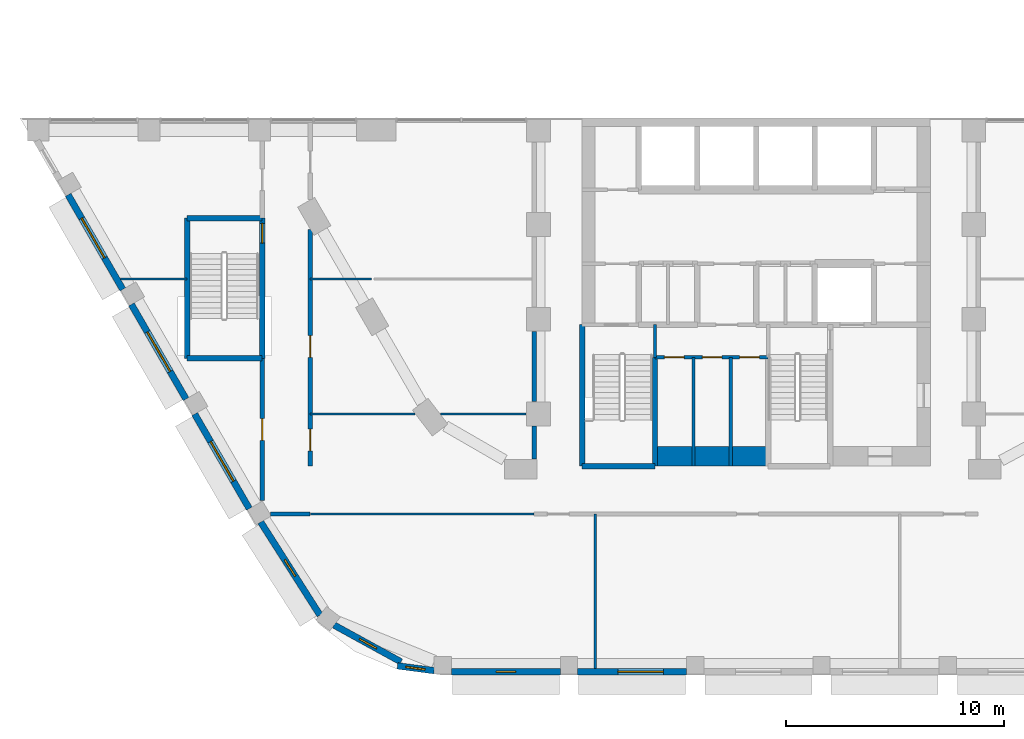
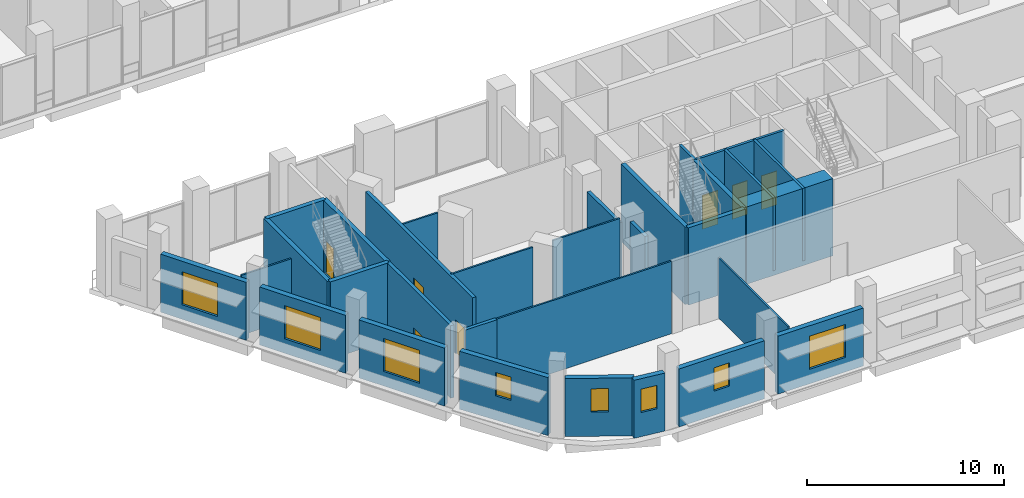
# One storey, part 15 of 45: 31 walls, 8 windows, 7 doors, 15 openings.
"""IFC4 building model written with IfcOpenShell, lengths in metres."""

from ifc_helpers import new_model, si_unit, direction, frame, frame_2d, origin, place, context, subcontext, project, spatial, rectangle, extrude, material, layer, layer_set, type_object, element, fill, save


model = new_model("IFC4")

# Units and contexts
model_context = context("Model", 3, precision=1e-05, world=origin(), true_north=direction((0.0, 1.0)))
body_context = subcontext(model_context, "Body", "Model", "MODEL_VIEW")
ifc_project = project(units=[si_unit("LENGTHUNIT", "METRE"), si_unit("AREAUNIT", "SQUARE_METRE"), si_unit("VOLUMEUNIT", "CUBIC_METRE"), si_unit("PLANEANGLEUNIT", "RADIAN"), si_unit("MASSUNIT", "GRAM", prefix="KILO")], contexts=[model_context])

# Site, building, storey
site_placement = place(None, origin())
site = spatial("IfcSite", under=ifc_project, at=site_placement, CompositionType="ELEMENT")
building_placement = place(site_placement, origin())
building = spatial("IfcBuilding", under=site, at=building_placement, Name="Nakaniwa Court", CompositionType="ELEMENT")
storey_placement = place(building_placement, frame((0.0, 0.0, 6.60009765625)))
storey = spatial("IfcBuildingStorey", under=building, at=storey_placement, Name="L01", CompositionType="ELEMENT", Elevation=6.60009765625)

# Wall, opening, door
ifc_material_1 = material(Name="Acoustic double stud partition")
ifc_layer_1 = layer(ifc_material_1, 0.199951171875)
ifc_layer_set_1 = layer_set([ifc_layer_1], Name="Acoustic double stud partition")
wall_type_1 = type_object("IfcWallType", Name="Acoustic double stud partition 200", PredefinedType="PARTITIONING", material=ifc_layer_set_1)
wall_1_placement = place(storey_placement, frame((57.300048828125, 55.0087890625, 0.0), z_axis=(0.0, 0.0, 1.0), x_axis=(0.0, 1.0, 0.0)))
wall_1 = element("IfcWall", 1, at=wall_1_placement, inside=storey, type_object=wall_type_1, Name="Partition PW-096", PredefinedType="PARTITIONING", context=body_context, shape_type="SweptSolid", body=[
    extrude(rectangle(XDim=6.544189453125, YDim=0.199951171875, at=frame_2d((3.27197265625, 0.0))), origin(), (0.0, 0.0, 1.0), 4.5),
])
opening_1_placement = place(wall_1_placement, frame((2.77197265625, 0.0, 0.0)))
opening_1 = element("IfcOpeningElement", 2, at=opening_1_placement, cuts=wall_1, Name="Opening D-02-12", PredefinedType="OPENING", context=body_context, shape_type="SweptSolid", body=[
    extrude(rectangle(XDim=1.0, YDim=2.10009765625, at=frame_2d((0.5, 1.050048828125))), frame((0.0, 0.10986328125, 0.0), z_axis=(0.0, -1.0, 0.0), x_axis=(1.0, 0.0, 0.0)), (0.0, 0.0, 1.0), 0.219970703125),
])
ifc_material_2 = material(Name="Solid core timber door set, black veneer", Category="wood")
door_type_1 = type_object("IfcDoorType", Name="Internal door 1000", OperationType="NOTDEFINED", PredefinedType="DOOR", material=ifc_material_2)
door_1_placement = place(opening_1_placement, origin())
door_1 = element("IfcDoor", 3, at=door_1_placement, inside=storey, type_object=door_type_1, Name="Door D-02-12 L01-047", OperationType="SINGLE_SWING_RIGHT", OverallHeight=2.10009765625, OverallWidth=1.0, PredefinedType="DOOR", context=body_context, shape_type="SweptSolid", body=[
    extrude(rectangle(XDim=1.0, YDim=2.10009765625, at=frame_2d((0.5, 1.050048828125))), frame((0.0, 0.02490234375, 0.0), z_axis=(0.0, -1.0, 0.0), x_axis=(1.0, 0.0, 0.0)), (0.0, 0.0, 1.0), 0.050048828125),
])
fill(opening_1, door_1)

# Wall, openings, doors
wall_2_placement = place(storey_placement, frame((59.5, 67.47021484375, 0.0), z_axis=(0.0, 0.0, 1.0), x_axis=(0.0, -1.0, 0.0)))
wall_2 = element("IfcWall", 4, at=wall_2_placement, inside=storey, type_object=wall_type_1, Name="Partition PW-100", PredefinedType="PARTITIONING", context=body_context, shape_type="SweptSolid", body=[
    extrude(rectangle(XDim=10.873291015625, YDim=0.199951171875, at=frame_2d((5.4365234375, 0.0))), origin(), (0.0, 0.0, 1.0), 4.5),
])
opening_2_placement = place(wall_2_placement, frame((4.8701171875, 0.0, 0.0)))
opening_2 = element("IfcOpeningElement", 5, at=opening_2_placement, cuts=wall_2, Name="Opening D-02-17", PredefinedType="OPENING", context=body_context, shape_type="SweptSolid", body=[
    extrude(rectangle(XDim=1.0, YDim=2.10009765625, at=frame_2d((0.5, 1.050048828125))), frame((0.0, 0.10986328125, 0.0), z_axis=(0.0, -1.0, 0.0), x_axis=(1.0, 0.0, 0.0)), (0.0, 0.0, 1.0), 0.219970703125),
])
opening_3_placement = place(wall_2_placement, frame((9.169921875, 0.0, 0.0)))
opening_3 = element("IfcOpeningElement", 6, at=opening_3_placement, cuts=wall_2, Name="Opening D-02-18", PredefinedType="OPENING", context=body_context, shape_type="SweptSolid", body=[
    extrude(rectangle(XDim=1.0, YDim=2.10009765625, at=frame_2d((0.5, 1.050048828125))), frame((0.0, 0.10986328125, 0.0), z_axis=(0.0, -1.0, 0.0), x_axis=(1.0, 0.0, 0.0)), (0.0, 0.0, 1.0), 0.219970703125),
])
door_2_placement = place(opening_2_placement, origin())
door_2 = element("IfcDoor", 7, at=door_2_placement, inside=storey, type_object=door_type_1, Name="Door D-02-17 L01-052", OperationType="SINGLE_SWING_LEFT", OverallHeight=2.10009765625, OverallWidth=1.0, PredefinedType="DOOR", context=body_context, shape_type="SweptSolid", body=[
    extrude(rectangle(XDim=1.0, YDim=2.10009765625, at=frame_2d((0.5, 1.050048828125))), frame((0.0, 0.02490234375, 0.0), z_axis=(0.0, -1.0, 0.0), x_axis=(1.0, 0.0, 0.0)), (0.0, 0.0, 1.0), 0.050048828125),
])
fill(opening_2, door_2)
door_3_placement = place(opening_3_placement, origin())
door_3 = element("IfcDoor", 8, at=door_3_placement, inside=storey, type_object=door_type_1, Name="Door D-02-18 L01-053", OperationType="SINGLE_SWING_RIGHT", OverallHeight=2.10009765625, OverallWidth=1.0, PredefinedType="DOOR", context=body_context, shape_type="SweptSolid", body=[
    extrude(rectangle(XDim=1.0, YDim=2.10009765625, at=frame_2d((0.5, 1.050048828125))), frame((0.0, 0.02490234375, 0.0), z_axis=(0.0, -1.0, 0.0), x_axis=(1.0, 0.0, 0.0)), (0.0, 0.0, 1.0), 0.050048828125),
])
fill(opening_3, door_3)

# Walls
wall_3_placement = place(storey_placement, frame((69.800048828125, 56.9169921875, 0.0), z_axis=(0.0, 0.0, 1.0), x_axis=(0.0, 1.0, 0.0)))
element("IfcWall", 9, at=wall_3_placement, inside=storey, type_object=wall_type_1, Name="Partition PW-112", PredefinedType="PARTITIONING", context=body_context, shape_type="SweptSolid", body=[
    extrude(rectangle(XDim=1.51611328125, YDim=0.199951171875, at=frame_2d((0.758056640625, 0.0))), origin(), (0.0, 0.0, 1.0), 4.5),
])
wall_4_placement = place(storey_placement, frame((69.800048828125, 59.56689453125, 0.0), z_axis=(0.0, 0.0, 1.0), x_axis=(0.0, 1.0, 0.0)))
element("IfcWall", 10, at=wall_4_placement, inside=storey, type_object=wall_type_1, Name="Partition PW-113", PredefinedType="PARTITIONING", context=body_context, shape_type="SweptSolid", body=[
    extrude(rectangle(XDim=3.216064453125, YDim=0.199951171875, at=frame_2d((1.60791015625, 0.0))), origin(), (0.0, 0.0, 1.0), 3.72998046875),
])
wall_5_placement = place(storey_placement, frame((57.676513671875, 54.39990234375, 0.0), z_axis=(0.0, 0.0, 1.0), x_axis=(1.0, 0.0, 0.0)))
element("IfcWall", 11, at=wall_5_placement, inside=storey, type_object=wall_type_1, Name="Partition PW-134", PredefinedType="PARTITIONING", context=body_context, shape_type="SweptSolid", body=[
    extrude(rectangle(XDim=1.823486328125, YDim=0.199951171875, at=frame_2d((0.91162109375, 0.0))), origin(), (0.0, 0.0, 1.0), 4.5),
])

# Wall, opening, window
ifc_material_3 = material(Name="Charcoal ceramic cladding")
ifc_layer_2 = layer(ifc_material_3, 0.02, Name="Ceramic cladding")
ifc_material_4 = material(Name="Ventilated air cavity")
ifc_layer_3 = layer(ifc_material_4, 0.04, ventilated=True, Name="Ventilated cavity")
ifc_material_5 = material(Name="Mineral wool insulation")
ifc_layer_4 = layer(ifc_material_5, 0.1, Name="Insulation")
ifc_material_6 = material(Name="Cement bonded sheathing board")
ifc_layer_5 = layer(ifc_material_6, 0.012, Name="Sheathing")
ifc_material_7 = material(Name="Cold-formed galvanised stud frame with mineral wool infill")
ifc_layer_6 = layer(ifc_material_7, 0.1, Name="Stud frame")
ifc_material_8 = material(Name="Fire-rated gypsum plasterboard lining")
ifc_layer_7 = layer(ifc_material_8, 0.028, Name="Lining")
ifc_layer_set_2 = layer_set([ifc_layer_2, ifc_layer_3, ifc_layer_4, ifc_layer_5, ifc_layer_6, ifc_layer_7], Name="Charcoal ceramic faced external wall system")
wall_type_2 = type_object("IfcWallType", Name="Black ceramic faced external wall 300", PredefinedType="SOLIDWALL", material=ifc_layer_set_2)
wall_6_placement = place(storey_placement, frame((48.37890625, 69.0693359375, 0.0), z_axis=(0.0, 0.0, 1.0), x_axis=(0.500011252833, -0.866018906861, 0.0)))
wall_6 = element("IfcWall", 12, at=wall_6_placement, inside=storey, type_object=wall_type_2, Name="L01 external wall 13", PredefinedType="SOLIDWALL", context=body_context, shape_type="SweptSolid", body=[
    extrude(rectangle(XDim=5.02490234375, YDim=0.300048828125, at=frame_2d((2.512451171875, 0.0))), origin(), (0.0, 0.0, 1.0), 3.599853515625),
])
opening_4_placement = place(wall_6_placement, frame((1.2451171875, 0.0, 0.89990234375)))
opening_4 = element("IfcOpeningElement", 13, at=opening_4_placement, cuts=wall_6, Name="Opening W2.02", PredefinedType="OPENING", context=body_context, shape_type="SweptSolid", body=[
    extrude(rectangle(XDim=2.10009765625, YDim=2.050048828125, at=frame_2d((1.050048828125, 1.02490234375))), frame((0.0, 0.159912109375, 0.0), z_axis=(0.0, -1.0, 0.0), x_axis=(1.0, 0.0, 0.0)), (0.0, 0.0, 1.0), 0.320068359375),
])
ifc_material_9 = material(Name="Black anodised aluminium frame with dark low-E laminated double glazing", Category="aluminium")
window_type_1 = type_object("IfcWindowType", Name="Dark glass window 2100x2050 sill 900", PartitioningType="SINGLE_PANEL", PredefinedType="WINDOW", material=ifc_material_9)
window_1_placement = place(opening_4_placement, origin())
window_1 = element("IfcWindow", 14, at=window_1_placement, inside=storey, type_object=window_type_1, Name="L01 habitable room window 13-0", OverallHeight=2.050048828125, OverallWidth=2.10009765625, PartitioningType="SINGLE_PANEL", PredefinedType="WINDOW", context=body_context, shape_type="SweptSolid", body=[
    extrude(rectangle(XDim=2.10009765625, YDim=2.050048828125, at=frame_2d((1.050048828125, 1.02490234375))), frame((0.0, 0.030029296875, 0.0), z_axis=(0.0, -1.0, 0.0), x_axis=(1.0, 0.0, 0.0)), (0.0, 0.0, 1.0), 0.06005859375),
])
fill(opening_4, window_1)

wall_7_placement = place(storey_placement, frame((51.287353515625, 64.031982421875, 0.0), z_axis=(0.0, 0.0, 1.0), x_axis=(0.499974811625, -0.866039945811, 0.0)))
wall_7 = element("IfcWall", 15, at=wall_7_placement, inside=storey, type_object=wall_type_2, Name="L01 external wall 14", PredefinedType="SOLIDWALL", context=body_context, shape_type="SweptSolid", body=[
    extrude(rectangle(XDim=5.024658203125, YDim=0.300048828125, at=frame_2d((2.51220703125, 0.0))), origin(), (0.0, 0.0, 1.0), 3.599853515625),
])
opening_5_placement = place(wall_7_placement, frame((1.46240234375, 0.0, 0.89990234375)))
opening_5 = element("IfcOpeningElement", 16, at=opening_5_placement, cuts=wall_7, Name="Opening W2.03", PredefinedType="OPENING", context=body_context, shape_type="SweptSolid", body=[
    extrude(rectangle(XDim=2.10009765625, YDim=2.050048828125, at=frame_2d((1.050048828125, 1.02490234375))), frame((0.0, 0.159912109375, 0.0), z_axis=(0.0, -1.0, 0.0), x_axis=(1.0, 0.0, 0.0)), (0.0, 0.0, 1.0), 0.320068359375),
])
window_2_placement = place(opening_5_placement, origin())
window_2 = element("IfcWindow", 17, at=window_2_placement, inside=storey, type_object=window_type_1, Name="L01 habitable room window 14-0", OverallHeight=2.050048828125, OverallWidth=2.10009765625, PartitioningType="SINGLE_PANEL", PredefinedType="WINDOW", context=body_context, shape_type="SweptSolid", body=[
    extrude(rectangle(XDim=2.10009765625, YDim=2.050048828125, at=frame_2d((1.050048828125, 1.02490234375))), frame((0.0, 0.030029296875, 0.0), z_axis=(0.0, -1.0, 0.0), x_axis=(1.0, 0.0, 0.0)), (0.0, 0.0, 1.0), 0.06005859375),
])
fill(opening_5, window_2)

wall_8_placement = place(storey_placement, frame((54.195556640625, 58.994384765625, 0.0), z_axis=(0.0, 0.0, 1.0), x_axis=(0.500011252833, -0.866018906861, 0.0)))
wall_8 = element("IfcWall", 18, at=wall_8_placement, inside=storey, type_object=wall_type_2, Name="L01 external wall 15", PredefinedType="SOLIDWALL", context=body_context, shape_type="SweptSolid", body=[
    extrude(rectangle(XDim=5.02490234375, YDim=0.300048828125, at=frame_2d((2.512451171875, 0.0))), origin(), (0.0, 0.0, 1.0), 3.599853515625),
])
opening_6_placement = place(wall_8_placement, frame((1.46240234375, 0.0, 0.89990234375)))
opening_6 = element("IfcOpeningElement", 19, at=opening_6_placement, cuts=wall_8, Name="Opening W2.04", PredefinedType="OPENING", context=body_context, shape_type="SweptSolid", body=[
    extrude(rectangle(XDim=2.10009765625, YDim=2.050048828125, at=frame_2d((1.050048828125, 1.02490234375))), frame((0.0, 0.159912109375, 0.0), z_axis=(0.0, -1.0, 0.0), x_axis=(1.0, 0.0, 0.0)), (0.0, 0.0, 1.0), 0.320068359375),
])
window_3_placement = place(opening_6_placement, origin())
window_3 = element("IfcWindow", 20, at=window_3_placement, inside=storey, type_object=window_type_1, Name="L01 habitable room window 15-0", OverallHeight=2.050048828125, OverallWidth=2.10009765625, PartitioningType="SINGLE_PANEL", PredefinedType="WINDOW", context=body_context, shape_type="SweptSolid", body=[
    extrude(rectangle(XDim=2.10009765625, YDim=2.050048828125, at=frame_2d((1.050048828125, 1.02490234375))), frame((0.0, 0.030029296875, 0.0), z_axis=(0.0, -1.0, 0.0), x_axis=(1.0, 0.0, 0.0)), (0.0, 0.0, 1.0), 0.06005859375),
])
fill(opening_6, window_3)

wall_9_placement = place(storey_placement, frame((57.2294921875, 54.029296875, 0.0), z_axis=(0.0, 0.0, 1.0), x_axis=(0.537224370512, -0.843439372882, 0.0)))
wall_9 = element("IfcWall", 21, at=wall_9_placement, inside=storey, type_object=wall_type_2, Name="L01 external wall 16", PredefinedType="SOLIDWALL", context=body_context, shape_type="SweptSolid", body=[
    extrude(rectangle(XDim=5.07080078125, YDim=0.300048828125, at=frame_2d((2.535400390625, 0.0))), origin(), (0.0, 0.0, 1.0), 3.599853515625),
])
opening_7_placement = place(wall_9_placement, frame((2.0576171875, 0.0, 1.5)))
opening_7 = element("IfcOpeningElement", 22, at=opening_7_placement, cuts=wall_9, Name="Opening W3.05", PredefinedType="OPENING", context=body_context, shape_type="SweptSolid", body=[
    extrude(rectangle(XDim=0.89990234375, YDim=1.449951171875, at=frame_2d((0.449951171875, 0.72509765625))), frame((0.0, 0.159912109375, 0.0), z_axis=(0.0, -1.0, 0.0), x_axis=(1.0, 0.0, 0.0)), (0.0, 0.0, 1.0), 0.320068359375),
])
window_type_2 = type_object("IfcWindowType", Name="Dark glass window 900x1450 sill 1500", PartitioningType="SINGLE_PANEL", PredefinedType="WINDOW", material=ifc_material_9)
window_4_placement = place(opening_7_placement, origin())
window_4 = element("IfcWindow", 23, at=window_4_placement, inside=storey, type_object=window_type_2, Name="L01 bathroom window 16-0", OverallHeight=1.449951171875, OverallWidth=0.89990234375, PartitioningType="SINGLE_PANEL", PredefinedType="WINDOW", context=body_context, shape_type="SweptSolid", body=[
    extrude(rectangle(XDim=0.89990234375, YDim=1.449951171875, at=frame_2d((0.449951171875, 0.72509765625))), frame((0.0, 0.030029296875, 0.0), z_axis=(0.0, -1.0, 0.0), x_axis=(1.0, 0.0, 0.0)), (0.0, 0.0, 1.0), 0.06005859375),
])
fill(opening_7, window_4)

wall_10_placement = place(storey_placement, frame((60.6005859375, 49.29443359375, 0.0), z_axis=(0.0, 0.0, 1.0), x_axis=(0.876502039768, -0.481398145284, 0.0)))
wall_10 = element("IfcWall", 24, at=wall_10_placement, inside=storey, type_object=wall_type_2, Name="L01 external wall 17", PredefinedType="SOLIDWALL", context=body_context, shape_type="SweptSolid", body=[
    extrude(rectangle(XDim=3.510986328125, YDim=0.300048828125, at=frame_2d((1.75537109375, 0.0))), origin(), (0.0, 0.0, 1.0), 3.599853515625),
])
opening_8_placement = place(wall_10_placement, frame((1.33056640625, 0.0, 1.5)))
opening_8 = element("IfcOpeningElement", 25, at=opening_8_placement, cuts=wall_10, Name="Opening W3.06", PredefinedType="OPENING", context=body_context, shape_type="SweptSolid", body=[
    extrude(rectangle(XDim=0.89990234375, YDim=1.449951171875, at=frame_2d((0.449951171875, 0.72509765625))), frame((0.0, 0.159912109375, 0.0), z_axis=(0.0, -1.0, 0.0), x_axis=(1.0, 0.0, 0.0)), (0.0, 0.0, 1.0), 0.320068359375),
])
window_5_placement = place(opening_8_placement, origin())
window_5 = element("IfcWindow", 26, at=window_5_placement, inside=storey, type_object=window_type_2, Name="L01 bathroom window 17-0", OverallHeight=1.449951171875, OverallWidth=0.89990234375, PartitioningType="SINGLE_PANEL", PredefinedType="WINDOW", context=body_context, shape_type="SweptSolid", body=[
    extrude(rectangle(XDim=0.89990234375, YDim=1.449951171875, at=frame_2d((0.449951171875, 0.72509765625))), frame((0.0, 0.030029296875, 0.0), z_axis=(0.0, -1.0, 0.0), x_axis=(1.0, 0.0, 0.0)), (0.0, 0.0, 1.0), 0.06005859375),
])
fill(opening_8, window_5)

wall_11_placement = place(storey_placement, frame((63.515380859375, 47.42138671875, 0.0), z_axis=(0.0, 0.0, 1.0), x_axis=(0.991431291018, -0.130629227937, 0.0)))
wall_11 = element("IfcWall", 27, at=wall_11_placement, inside=storey, type_object=wall_type_2, Name="L01 external wall 18", PredefinedType="SOLIDWALL", context=body_context, shape_type="SweptSolid", body=[
    extrude(rectangle(XDim=1.698974609375, YDim=0.300048828125, at=frame_2d((0.849609375, 0.0))), origin(), (0.0, 0.0, 1.0), 3.599853515625),
])
opening_9_placement = place(wall_11_placement, frame((0.376220703125, 0.0, 1.5)))
opening_9 = element("IfcOpeningElement", 28, at=opening_9_placement, cuts=wall_11, Name="Opening W3.07", PredefinedType="OPENING", context=body_context, shape_type="SweptSolid", body=[
    extrude(rectangle(XDim=0.89990234375, YDim=1.449951171875, at=frame_2d((0.449951171875, 0.72509765625))), frame((0.0, 0.159912109375, 0.0), z_axis=(0.0, -1.0, 0.0), x_axis=(1.0, 0.0, 0.0)), (0.0, 0.0, 1.0), 0.320068359375),
])
window_6_placement = place(opening_9_placement, origin())
window_6 = element("IfcWindow", 29, at=window_6_placement, inside=storey, type_object=window_type_2, Name="L01 bathroom window 18-0", OverallHeight=1.449951171875, OverallWidth=0.89990234375, PartitioningType="SINGLE_PANEL", PredefinedType="WINDOW", context=body_context, shape_type="SweptSolid", body=[
    extrude(rectangle(XDim=0.89990234375, YDim=1.449951171875, at=frame_2d((0.449951171875, 0.72509765625))), frame((0.0, 0.030029296875, 0.0), z_axis=(0.0, -1.0, 0.0), x_axis=(1.0, 0.0, 0.0)), (0.0, 0.0, 1.0), 0.06005859375),
])
fill(opening_9, window_6)

wall_12_placement = place(storey_placement, frame((65.99169921875, 47.14990234375, 0.0), z_axis=(0.0, 0.0, 1.0), x_axis=(1.0, 0.0, 0.0)))
wall_12 = element("IfcWall", 30, at=wall_12_placement, inside=storey, type_object=wall_type_2, Name="L01 external wall 19", PredefinedType="SOLIDWALL", context=body_context, shape_type="SweptSolid", body=[
    extrude(rectangle(XDim=5.01025390625, YDim=0.300048828125, at=frame_2d((2.505126953125, 0.0))), origin(), (0.0, 0.0, 1.0), 3.599853515625),
])
opening_10_placement = place(wall_12_placement, frame((2.05517578125, 0.0, 1.5)))
opening_10 = element("IfcOpeningElement", 31, at=opening_10_placement, cuts=wall_12, Name="Opening W3.08", PredefinedType="OPENING", context=body_context, shape_type="SweptSolid", body=[
    extrude(rectangle(XDim=0.89990234375, YDim=1.449951171875, at=frame_2d((0.449951171875, 0.72509765625))), frame((0.0, 0.159912109375, 0.0), z_axis=(0.0, -1.0, 0.0), x_axis=(1.0, 0.0, 0.0)), (0.0, 0.0, 1.0), 0.320068359375),
])
window_7_placement = place(opening_10_placement, origin())
window_7 = element("IfcWindow", 32, at=window_7_placement, inside=storey, type_object=window_type_2, Name="L01 bathroom window 19-0", OverallHeight=1.449951171875, OverallWidth=0.89990234375, PartitioningType="SINGLE_PANEL", PredefinedType="WINDOW", context=body_context, shape_type="SweptSolid", body=[
    extrude(rectangle(XDim=0.89990234375, YDim=1.449951171875, at=frame_2d((0.449951171875, 0.72509765625))), frame((0.0, 0.030029296875, 0.0), z_axis=(0.0, -1.0, 0.0), x_axis=(1.0, 0.0, 0.0)), (0.0, 0.0, 1.0), 0.06005859375),
])
fill(opening_10, window_7)

wall_13_placement = place(storey_placement, frame((71.7939453125, 47.14990234375, 0.0), z_axis=(0.0, 0.0, 1.0), x_axis=(1.0, 0.0, 0.0)))
wall_13 = element("IfcWall", 33, at=wall_13_placement, inside=storey, type_object=wall_type_2, Name="L01 external wall 20", PredefinedType="SOLIDWALL", context=body_context, shape_type="SweptSolid", body=[
    extrude(rectangle(XDim=5.01025390625, YDim=0.300048828125, at=frame_2d((2.505126953125, 0.0))), origin(), (0.0, 0.0, 1.0), 3.599853515625),
])
opening_11_placement = place(wall_13_placement, frame((1.84619140625, 0.0, 0.89990234375)))
opening_11 = element("IfcOpeningElement", 34, at=opening_11_placement, cuts=wall_13, Name="Opening W2.09", PredefinedType="OPENING", context=body_context, shape_type="SweptSolid", body=[
    extrude(rectangle(XDim=2.10009765625, YDim=2.050048828125, at=frame_2d((1.050048828125, 1.02490234375))), frame((0.0, 0.159912109375, 0.0), z_axis=(0.0, -1.0, 0.0), x_axis=(1.0, 0.0, 0.0)), (0.0, 0.0, 1.0), 0.320068359375),
])
window_8_placement = place(opening_11_placement, origin())
window_8 = element("IfcWindow", 35, at=window_8_placement, inside=storey, type_object=window_type_1, Name="L01 habitable room window 20-1", OverallHeight=2.050048828125, OverallWidth=2.10009765625, PartitioningType="SINGLE_PANEL", PredefinedType="WINDOW", context=body_context, shape_type="SweptSolid", body=[
    extrude(rectangle(XDim=2.10009765625, YDim=2.050048828125, at=frame_2d((1.050048828125, 1.02490234375))), frame((0.0, 0.030029296875, 0.0), z_axis=(0.0, -1.0, 0.0), x_axis=(1.0, 0.0, 0.0)), (0.0, 0.0, 1.0), 0.06005859375),
])
fill(opening_11, window_8)

# Wall, openings, doors
ifc_material_10 = material(Name="Blockwork partition", Category="masonry")
ifc_layer_8 = layer(ifc_material_10, 0.14990234375)
ifc_layer_set_3 = layer_set([ifc_layer_8], Name="Blockwork partition")
wall_type_3 = type_object("IfcWallType", Name="Blockwork partition 150", PredefinedType="PARTITIONING", material=ifc_layer_set_3)
wall_14_placement = place(storey_placement, frame((80.550048828125, 61.60009765625, 0.0), z_axis=(0.0, 0.0, 1.0), x_axis=(-1.0, 0.0, 0.0)))
wall_14 = element("IfcWall", 36, at=wall_14_placement, inside=storey, type_object=wall_type_3, Name="Partition PW-078", PredefinedType="PARTITIONING", context=body_context, shape_type="SweptSolid", body=[
    extrude(rectangle(XDim=5.199951171875, YDim=0.14990234375, at=frame_2d((2.60009765625, 0.0))), origin(), (0.0, 0.0, 1.0), 4.5),
])
opening_12_placement = place(wall_14_placement, frame((3.865966796875, 0.0, 0.0)))
opening_12 = element("IfcOpeningElement", 37, at=opening_12_placement, cuts=wall_14, Name="Opening D-05-18", PredefinedType="OPENING", context=body_context, shape_type="SweptSolid", body=[
    extrude(rectangle(XDim=0.89990234375, YDim=2.10009765625, at=frame_2d((0.449951171875, 1.050048828125))), frame((0.0, 0.0849609375, 0.0), z_axis=(0.0, -1.0, 0.0), x_axis=(1.0, 0.0, 0.0)), (0.0, 0.0, 1.0), 0.169921875),
])
opening_13_placement = place(wall_14_placement, frame((2.1240234375, 0.0, 0.0)))
opening_13 = element("IfcOpeningElement", 38, at=opening_13_placement, cuts=wall_14, Name="Opening D-05-19", PredefinedType="OPENING", context=body_context, shape_type="SweptSolid", body=[
    extrude(rectangle(XDim=0.89990234375, YDim=2.10009765625, at=frame_2d((0.449951171875, 1.050048828125))), frame((0.0, 0.0849609375, 0.0), z_axis=(0.0, -1.0, 0.0), x_axis=(1.0, 0.0, 0.0)), (0.0, 0.0, 1.0), 0.169921875),
])
opening_14_placement = place(wall_14_placement, frame((0.407958984375, 0.0, 0.0)))
opening_14 = element("IfcOpeningElement", 39, at=opening_14_placement, cuts=wall_14, Name="Opening D-05-20", PredefinedType="OPENING", context=body_context, shape_type="SweptSolid", body=[
    extrude(rectangle(XDim=0.89990234375, YDim=2.10009765625, at=frame_2d((0.449951171875, 1.050048828125))), frame((0.0, 0.0849609375, 0.0), z_axis=(0.0, -1.0, 0.0), x_axis=(1.0, 0.0, 0.0)), (0.0, 0.0, 1.0), 0.169921875),
])
ifc_material_11 = material(Name="Fire rated steel door set", Category="steel")
door_type_2 = type_object("IfcDoorType", Name="Service room door 900", OperationType="NOTDEFINED", PredefinedType="DOOR", material=ifc_material_11)
door_4_placement = place(opening_12_placement, origin())
door_4 = element("IfcDoor", 40, at=door_4_placement, inside=storey, type_object=door_type_2, Name="Door D-05-18 L01-026", OperationType="SINGLE_SWING_LEFT", OverallHeight=2.10009765625, OverallWidth=0.89990234375, PredefinedType="DOOR", context=body_context, shape_type="SweptSolid", body=[
    extrude(rectangle(XDim=0.89990234375, YDim=2.10009765625, at=frame_2d((0.449951171875, 1.050048828125))), frame((0.0, 0.02490234375, 0.0), z_axis=(0.0, -1.0, 0.0), x_axis=(1.0, 0.0, 0.0)), (0.0, 0.0, 1.0), 0.050048828125),
])
fill(opening_12, door_4)
door_5_placement = place(opening_13_placement, origin())
door_5 = element("IfcDoor", 41, at=door_5_placement, inside=storey, type_object=door_type_2, Name="Door D-05-19 L01-027", OperationType="SINGLE_SWING_RIGHT", OverallHeight=2.10009765625, OverallWidth=0.89990234375, PredefinedType="DOOR", context=body_context, shape_type="SweptSolid", body=[
    extrude(rectangle(XDim=0.89990234375, YDim=2.10009765625, at=frame_2d((0.449951171875, 1.050048828125))), frame((0.0, 0.02490234375, 0.0), z_axis=(0.0, -1.0, 0.0), x_axis=(1.0, 0.0, 0.0)), (0.0, 0.0, 1.0), 0.050048828125),
])
fill(opening_13, door_5)
door_6_placement = place(opening_14_placement, origin())
door_6 = element("IfcDoor", 42, at=door_6_placement, inside=storey, type_object=door_type_2, Name="Door D-05-20 L01-028", OperationType="SINGLE_SWING_LEFT", OverallHeight=2.10009765625, OverallWidth=0.89990234375, PredefinedType="DOOR", context=body_context, shape_type="SweptSolid", body=[
    extrude(rectangle(XDim=0.89990234375, YDim=2.10009765625, at=frame_2d((0.449951171875, 1.050048828125))), frame((0.0, 0.02490234375, 0.0), z_axis=(0.0, -1.0, 0.0), x_axis=(1.0, 0.0, 0.0)), (0.0, 0.0, 1.0), 0.050048828125),
])
fill(opening_14, door_6)

# Walls
for number, where, z_axis, x_axis, name in (
    (43, (77.117919921875, 56.60009765625, 0.0), (0.0, 0.0, 1.0), (0.0, 1.0, 0.0), "Partition PW-079"),
    (44, (78.833984375, 56.60009765625, 0.0), (0.0, 0.0, 1.0), (0.0, 1.0, 0.0), "Partition PW-080"),
):
    element("IfcWall", number, at=place(storey_placement, frame(where, z_axis=z_axis, x_axis=x_axis)), inside=storey, type_object=wall_type_3, Name=name, PredefinedType="PARTITIONING", context=body_context, shape_type="SweptSolid", body=[
        extrude(rectangle(XDim=5.0, YDim=0.14990234375, at=frame_2d((2.5, 0.0))), origin(), (0.0, 0.0, 1.0), 4.5),
    ])
ifc_material_12 = material(Name="Concrete C100/115", Category="concrete")
ifc_layer_9 = layer(ifc_material_12, 0.14990234375)
ifc_layer_set_4 = layer_set([ifc_layer_9], Name="Concrete C100/115")
wall_type_4 = type_object("IfcWallType", Name="Concrete core wall 150 C100", PredefinedType="SHEAR", material=ifc_layer_set_4)
wall_15_placement = place(storey_placement, frame((75.35009765625, 61.596923828125, -0.300048828125), z_axis=(0.0, 0.0, 1.0), x_axis=(0.0, 1.0, 0.0)))
element("IfcWall", 45, at=wall_15_placement, inside=storey, type_object=wall_type_4, Name="Core wall SW-68", PredefinedType="SHEAR", context=body_context, shape_type="SweptSolid", body=[
    extrude(rectangle(XDim=1.503173828125, YDim=0.14990234375, at=frame_2d((0.75146484375, 0.0))), origin(), (0.0, 0.0, 1.0), 4.800048828125),
])
ifc_layer_10 = layer(ifc_material_12, 0.25)
ifc_layer_set_5 = layer_set([ifc_layer_10], Name="Concrete C100/115")
wall_type_5 = type_object("IfcWallType", Name="Concrete core wall 250 C100", PredefinedType="SHEAR", material=ifc_layer_set_5)
wall_16_placement = place(storey_placement, frame((72.0, 56.60009765625, -0.300048828125), z_axis=(0.0, 0.0, 1.0), x_axis=(0.0, 1.0, 0.0)))
element("IfcWall", 46, at=wall_16_placement, inside=storey, type_object=wall_type_5, Name="Core wall SW-70", PredefinedType="SHEAR", context=body_context, shape_type="SweptSolid", body=[
    extrude(rectangle(XDim=6.5, YDim=0.25, at=frame_2d((3.25, 0.0))), origin(), (0.0, 0.0, 1.0), 4.800048828125),
])
wall_17_placement = place(storey_placement, frame((72.0, 56.60009765625, -0.300048828125), z_axis=(0.0, 0.0, 1.0), x_axis=(1.0, 0.0, 0.0)))
element("IfcWall", 47, at=wall_17_placement, inside=storey, type_object=wall_type_5, Name="Core wall SW-71", PredefinedType="SHEAR", context=body_context, shape_type="SweptSolid", body=[
    extrude(rectangle(XDim=3.35009765625, YDim=0.25, at=frame_2d((1.675048828125, 0.0))), origin(), (0.0, 0.0, 1.0), 4.800048828125),
])

# Wall, opening, door
wall_18_placement = place(storey_placement, frame((57.300048828125, 68.0029296875, -0.300048828125), z_axis=(0.0, 0.0, 1.0), x_axis=(0.0, -1.0, 0.0)))
wall_18 = element("IfcWall", 48, at=wall_18_placement, inside=storey, type_object=wall_type_5, Name="Core wall SW-94", PredefinedType="SHEAR", context=body_context, shape_type="SweptSolid", body=[
    extrude(rectangle(XDim=6.455810546875, YDim=0.25, at=frame_2d((3.22802734375, 0.0))), origin(), (0.0, 0.0, 1.0), 4.800048828125),
])
opening_15_placement = place(wall_18_placement, frame((0.25, 0.0, 0.300048828125)))
opening_15 = element("IfcOpeningElement", 49, at=opening_15_placement, cuts=wall_18, Name="Opening D-11-06", PredefinedType="OPENING", context=body_context, shape_type="SweptSolid", body=[
    extrude(rectangle(XDim=0.89990234375, YDim=2.10009765625, at=frame_2d((0.449951171875, 1.050048828125))), frame((0.0, 0.135009765625, 0.0), z_axis=(0.0, -1.0, 0.0), x_axis=(1.0, 0.0, 0.0)), (0.0, 0.0, 1.0), 0.27001953125),
])
door_type_3 = type_object("IfcDoorType", Name="Stair door 900", OperationType="NOTDEFINED", PredefinedType="DOOR", material=ifc_material_11)
door_7_placement = place(opening_15_placement, origin())
door_7 = element("IfcDoor", 50, at=door_7_placement, inside=storey, type_object=door_type_3, Name="Door D-11-06 L01-043", OperationType="SINGLE_SWING_LEFT", OverallHeight=2.10009765625, OverallWidth=0.89990234375, PredefinedType="DOOR", context=body_context, shape_type="SweptSolid", body=[
    extrude(rectangle(XDim=0.89990234375, YDim=2.10009765625, at=frame_2d((0.449951171875, 1.050048828125))), frame((0.0, 0.02490234375, 0.0), z_axis=(0.0, -1.0, 0.0), x_axis=(1.0, 0.0, 0.0)), (0.0, 0.0, 1.0), 0.050048828125),
])
fill(opening_15, door_7)

# Walls
wall_19_placement = place(storey_placement, frame((53.85009765625, 61.550048828125, -0.300048828125), z_axis=(0.0, 0.0, 1.0), x_axis=(0.0, 1.0, 0.0)))
element("IfcWall", 51, at=wall_19_placement, inside=storey, type_object=wall_type_5, Name="Core wall SW-126", PredefinedType="SHEAR", context=body_context, shape_type="SweptSolid", body=[
    extrude(rectangle(XDim=6.449951171875, YDim=0.25, at=frame_2d((3.22509765625, 0.0))), origin(), (0.0, 0.0, 1.0), 4.800048828125),
])
for number, where, z_axis, x_axis, name in (
    (52, (53.85009765625, 68.0, -0.300048828125), (0.0, 0.0, 1.0), (1.0, 0.0, 0.0), "Core wall SW-137"),
    (53, (53.85009765625, 61.550048828125, -0.300048828125), (0.0, 0.0, 1.0), (1.0, 0.0, 0.0), "Core wall SW-139"),
):
    element("IfcWall", number, at=place(storey_placement, frame(where, z_axis=z_axis, x_axis=x_axis)), inside=storey, type_object=wall_type_5, Name=name, PredefinedType="SHEAR", context=body_context, shape_type="SweptSolid", body=[
        extrude(rectangle(XDim=3.449951171875, YDim=0.25, at=frame_2d((1.72509765625, 0.0))), origin(), (0.0, 0.0, 1.0), 4.800048828125),
    ])
ifc_layer_11 = layer(ifc_material_12, 0.89990234375)
ifc_layer_set_6 = layer_set([ifc_layer_11], Name="Concrete C100/115")
wall_type_6 = type_object("IfcWallType", Name="Concrete core wall 900 C100", PredefinedType="SHEAR", material=ifc_layer_set_6)
wall_20_placement = place(storey_placement, frame((75.35009765625, 57.050048828125, -0.300048828125), z_axis=(0.0, 0.0, 1.0), x_axis=(1.0, 0.0, 0.0)))
element("IfcWall", 54, at=wall_20_placement, inside=storey, type_object=wall_type_6, Name="Core wall SW-76", PredefinedType="SHEAR", context=body_context, shape_type="SweptSolid", body=[
    extrude(rectangle(XDim=5.199951171875, YDim=0.89990234375, at=frame_2d((2.60009765625, 0.0))), origin(), (0.0, 0.0, 1.0), 4.800048828125),
])
ifc_layer_12 = layer(ifc_material_12, 0.25)
ifc_layer_set_7 = layer_set([ifc_layer_12], Name="Concrete C100/115")
wall_type_7 = type_object("IfcWallType", Name="Concrete shaft wall 250 C100", PredefinedType="SHEAR", material=ifc_layer_set_7)
wall_21_placement = place(storey_placement, frame((75.35009765625, 56.60009765625, -0.300048828125), z_axis=(0.0, 0.0, 1.0), x_axis=(0.0, 1.0, 0.0)))
element("IfcWall", 55, at=wall_21_placement, inside=storey, type_object=wall_type_7, Name="Core wall SW-69", PredefinedType="SHEAR", context=body_context, shape_type="SweptSolid", body=[
    extrude(rectangle(XDim=5.0029296875, YDim=0.25, at=frame_2d((2.50146484375, 0.0))), origin(), (0.0, 0.0, 1.0), 4.800048828125),
])
ifc_material_13 = material(Name="Single stud plasterboard partition")
ifc_layer_13 = layer(ifc_material_13, 0.10009765625)
ifc_layer_set_8 = layer_set([ifc_layer_13], Name="Single stud plasterboard partition")
wall_type_8 = type_object("IfcWallType", Name="Single stud plasterboard partition 100", PredefinedType="PARTITIONING", material=ifc_layer_set_8)
wall_22_placement = place(storey_placement, frame((50.7861328125, 65.199951171875, 0.0), z_axis=(0.0, 0.0, 1.0), x_axis=(1.0, 0.0, 0.0)))
element("IfcWall", 56, at=wall_22_placement, inside=storey, type_object=wall_type_8, Name="Partition PW-141", PredefinedType="PARTITIONING", context=body_context, shape_type="SweptSolid", body=[
    extrude(rectangle(XDim=3.06396484375, YDim=0.10009765625, at=frame_2d((1.531982421875, 0.0))), origin(), (0.0, 0.0, 1.0), 3.72998046875),
])
wall_23_placement = place(storey_placement, frame((59.5, 65.199951171875, 0.0), z_axis=(0.0, 0.0, 1.0), x_axis=(1.0, 0.0, 0.0)))
element("IfcWall", 57, at=wall_23_placement, inside=storey, type_object=wall_type_8, Name="Partition PW-142", PredefinedType="PARTITIONING", context=body_context, shape_type="SweptSolid", body=[
    extrude(rectangle(XDim=2.819580078125, YDim=0.10009765625, at=frame_2d((1.40966796875, 0.0))), origin(), (0.0, 0.0, 1.0), 3.579833984375),
])
wall_24_placement = place(storey_placement, frame((59.5, 59.0, 0.0), z_axis=(0.0, 0.0, 1.0), x_axis=(1.0, 0.0, 0.0)))
element("IfcWall", 58, at=wall_24_placement, inside=storey, type_object=wall_type_8, Name="Partition PW-147", PredefinedType="PARTITIONING", context=body_context, shape_type="SweptSolid", body=[
    extrude(rectangle(XDim=4.810302734375, YDim=0.10009765625, at=frame_2d((2.4052734375, 0.0))), origin(), (0.0, 0.0, 1.0), 4.5),
])
wall_25_placement = place(storey_placement, frame((65.4951171875, 59.0, 0.0), z_axis=(0.0, 0.0, 1.0), x_axis=(1.0, 0.0, 0.0)))
element("IfcWall", 59, at=wall_25_placement, inside=storey, type_object=wall_type_8, Name="Partition PW-148", PredefinedType="PARTITIONING", context=body_context, shape_type="SweptSolid", body=[
    extrude(rectangle(XDim=3.934814453125, YDim=0.10009765625, at=frame_2d((1.96728515625, 0.0))), origin(), (0.0, 0.0, 1.0), 4.5),
])
wall_26_placement = place(storey_placement, frame((72.60009765625, 47.300048828125, 0.0), z_axis=(0.0, 0.0, 1.0), x_axis=(0.0, 1.0, 0.0)))
element("IfcWall", 60, at=wall_26_placement, inside=storey, type_object=wall_type_8, Name="Partition PW-151", PredefinedType="PARTITIONING", context=body_context, shape_type="SweptSolid", body=[
    extrude(rectangle(XDim=7.099853515625, YDim=0.10009765625, at=frame_2d((3.5498046875, 0.0))), origin(), (0.0, 0.0, 1.0), 3.72998046875),
])
wall_27_placement = place(storey_placement, frame((59.52001953125, 54.39990234375, 0.0), z_axis=(0.0, 0.0, 1.0), x_axis=(1.0, 0.0, 0.0)))
element("IfcWall", 61, at=wall_27_placement, inside=storey, type_object=wall_type_8, Name="Partition PW-153", PredefinedType="PARTITIONING", context=body_context, shape_type="SweptSolid", body=[
    extrude(rectangle(XDim=10.260009765625, YDim=0.10009765625, at=frame_2d((5.1298828125, 0.0))), origin(), (0.0, 0.0, 1.0), 4.5),
])

save(model, "model.ifc")
